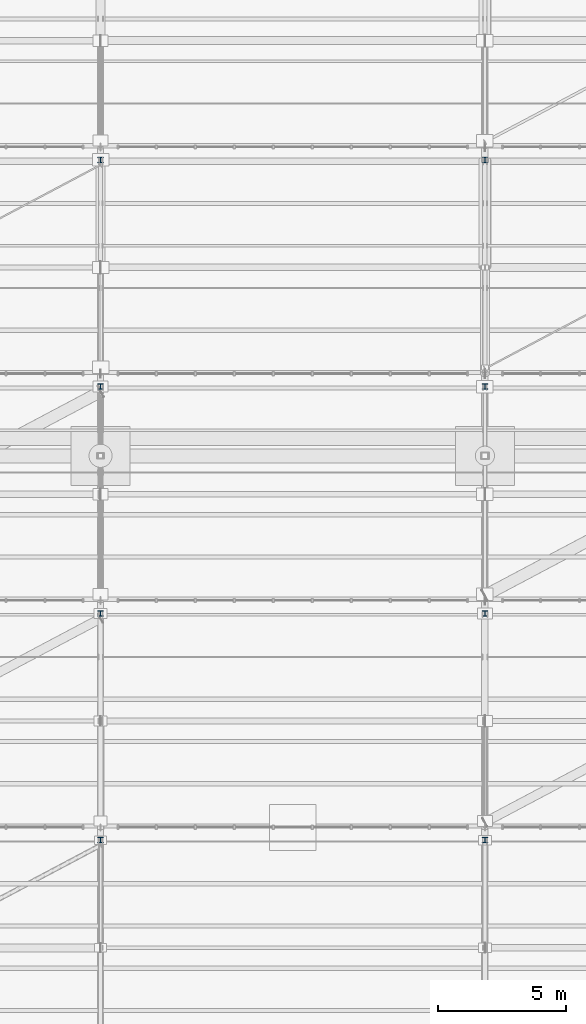
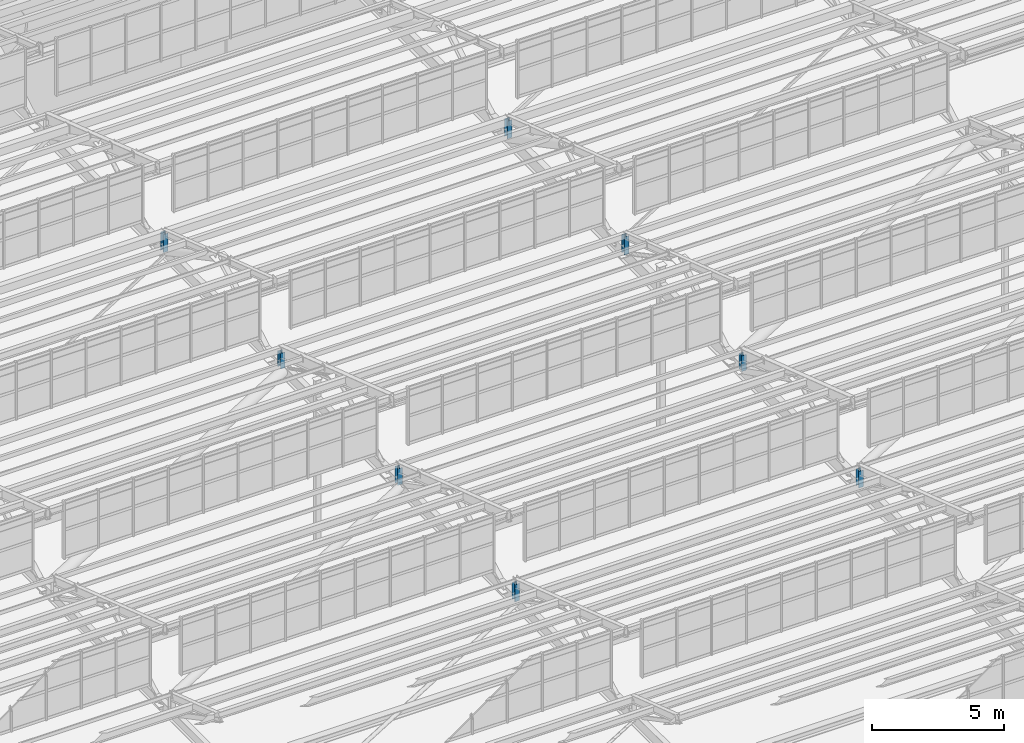
# One storey, part 152 of 285: 8 members.
"""IFC4 building model written with IfcOpenShell, lengths in metres."""

from ifc_helpers import new_model, si_unit, direction, frame, origin, origin_2d, place, context, subcontext, project, spatial, i_section, extrude, material, material_profile, profile_set, type_object, element, save


model = new_model("IFC4")

# Units and contexts
model_context = context("Model", 3, precision=1e-05, world=origin(), true_north=direction((0.0, 1.0)))
body_context = subcontext(model_context, "Body", "Model", "MODEL_VIEW")
ifc_project = project(units=[si_unit("LENGTHUNIT", "METRE"), si_unit("AREAUNIT", "SQUARE_METRE"), si_unit("VOLUMEUNIT", "CUBIC_METRE"), si_unit("PLANEANGLEUNIT", "RADIAN"), si_unit("MASSUNIT", "GRAM", prefix="KILO")], contexts=[model_context])

# Site, building, storey
site_placement = place(None, origin())
site = spatial("IfcSite", under=ifc_project, at=site_placement, CompositionType="ELEMENT")
building_placement = place(site_placement, origin())
building = spatial("IfcBuilding", under=site, at=building_placement, Name="Solanera Park Tramway Depot", CompositionType="ELEMENT")
storey_placement = place(building_placement, origin())
storey = spatial("IfcBuildingStorey", under=building, at=storey_placement, Name="L00", CompositionType="ELEMENT", Elevation=0.0)

# Members
ifc_material = material(Name="Steel AS/NZS 3679.1 Grade 350", Category="steel")
ifc_material_profile = material_profile(ifc_material, i_section(OverallWidth=0.205078125, OverallDepth=0.209716796875, WebThickness=0.00927734375, FlangeThickness=0.01416015625, at=origin_2d()), Name="200UC59.5")
ifc_profile_set = profile_set([ifc_material_profile], Name="Steel AS/NZS 3679.1 Grade 350")
member_type = type_object("IfcMemberType", Name="Roof Gantry Compression Strut 200UC59.5", PredefinedType="STRUT", material=ifc_profile_set)
member_1_placement = place(storey_placement, frame((105.0, 99.5, 6.5), z_axis=(0.0, 0.0, 1.0), x_axis=(1.0, 0.0, 0.0)))
element("IfcMember", 1, at=member_1_placement, inside=storey, type_object=member_type, Name="Sawtooth ROOF TRUSS Valley Post 200UC59.5 #0048", PredefinedType="STRUT", context=body_context, shape_type="SweptSolid", body=[
    extrude(i_section(OverallWidth=0.205078125, OverallDepth=0.209716796875, WebThickness=0.00927734375, FlangeThickness=0.01416015625, at=origin_2d()), origin(), (0.0, 0.0, 1.0), 0.78759765625),
])
for number, where, z_axis, x_axis, name in (
    (2, (120.0, 99.5, 6.5), (0.0, 0.0, 1.0), (1.0, 0.0, 0.0), "Sawtooth ROOF TRUSS Valley Post 200UC59.5 #0049"),
    (3, (105.0, 108.35009765625, 6.5), (0.0, 0.0, 1.0), (1.0, 0.0, 0.0), "Sawtooth ROOF TRUSS Valley Post 200UC59.5 #0059"),
):
    element("IfcMember", number, at=place(storey_placement, frame(where, z_axis=z_axis, x_axis=x_axis)), inside=storey, type_object=member_type, Name=name, PredefinedType="STRUT", context=body_context, shape_type="SweptSolid", body=[
        extrude(i_section(OverallWidth=0.205078125, OverallDepth=0.209716796875, WebThickness=0.00927734375, FlangeThickness=0.01416015625, at=origin_2d()), origin(), (0.0, 0.0, 1.0), 0.76220703125),
    ])
for number, where, z_axis, x_axis, name in (
    (4, (120.0, 108.35009765625, 6.5), (0.0, 0.0, 1.0), (1.0, 0.0, 0.0), "Sawtooth ROOF TRUSS Valley Post 200UC59.5 #0060"),
    (5, (105.0, 117.199951171875, 6.5), (0.0, 0.0, 1.0), (1.0, 0.0, 0.0), "Sawtooth ROOF TRUSS Valley Post 200UC59.5 #0070"),
):
    element("IfcMember", number, at=place(storey_placement, frame(where, z_axis=z_axis, x_axis=x_axis)), inside=storey, type_object=member_type, Name=name, PredefinedType="STRUT", context=body_context, shape_type="SweptSolid", body=[
        extrude(i_section(OverallWidth=0.205078125, OverallDepth=0.209716796875, WebThickness=0.00927734375, FlangeThickness=0.01416015625, at=origin_2d()), origin(), (0.0, 0.0, 1.0), 0.724365234375),
    ])
for number, where, z_axis, x_axis, name in (
    (6, (120.0, 117.199951171875, 6.5), (0.0, 0.0, 1.0), (1.0, 0.0, 0.0), "Sawtooth ROOF TRUSS Valley Post 200UC59.5 #0071"),
    (7, (105.0, 126.050048828125, 6.5), (0.0, 0.0, 1.0), (1.0, 0.0, 0.0), "Sawtooth ROOF TRUSS Valley Post 200UC59.5 #0081"),
):
    element("IfcMember", number, at=place(storey_placement, frame(where, z_axis=z_axis, x_axis=x_axis)), inside=storey, type_object=member_type, Name=name, PredefinedType="STRUT", context=body_context, shape_type="SweptSolid", body=[
        extrude(i_section(OverallWidth=0.205078125, OverallDepth=0.209716796875, WebThickness=0.00927734375, FlangeThickness=0.01416015625, at=origin_2d()), origin(), (0.0, 0.0, 1.0), 0.83740234375),
    ])
member_2_placement = place(storey_placement, frame((120.0, 126.050048828125, 6.5), z_axis=(0.0, 0.0, 1.0), x_axis=(1.0, 0.0, 0.0)))
element("IfcMember", 8, at=member_2_placement, inside=storey, type_object=member_type, Name="Sawtooth ROOF TRUSS Valley Post 200UC59.5 #0082", PredefinedType="STRUT", context=body_context, shape_type="SweptSolid", body=[
    extrude(i_section(OverallWidth=0.205078125, OverallDepth=0.209716796875, WebThickness=0.00927734375, FlangeThickness=0.01416015625, at=origin_2d()), origin(), (0.0, 0.0, 1.0), 0.81298828125),
])

save(model, "model.ifc")
